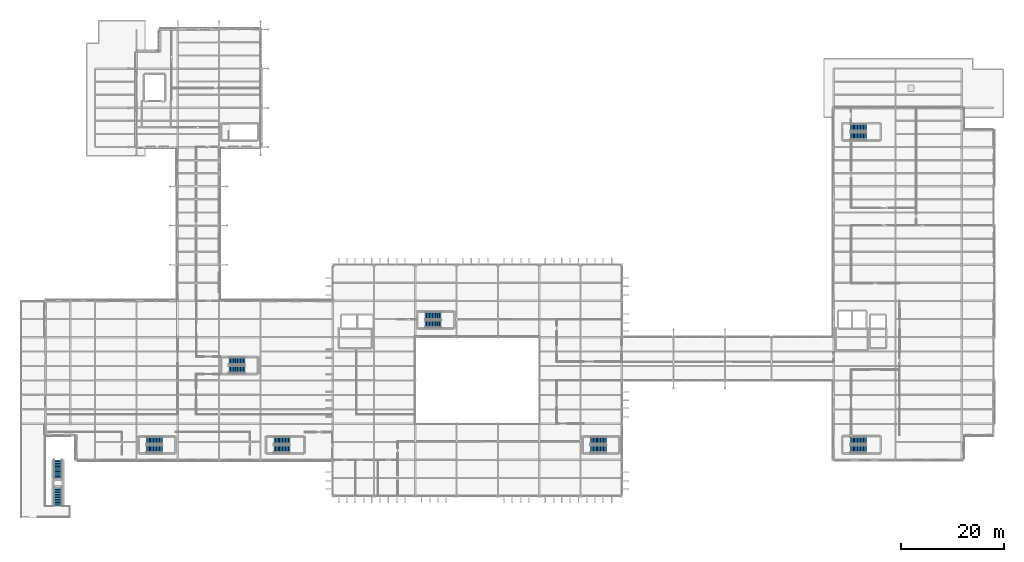
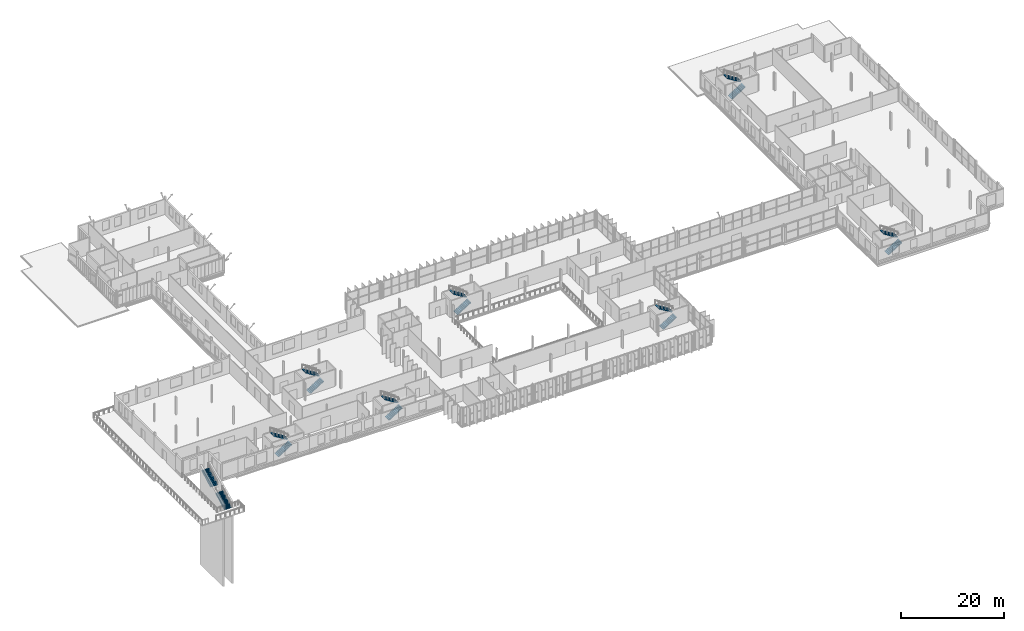
# One storey, part 90 of 101: 16 stair flights, 8 elements without a shape of their own.
"""IFC4 building model written with IfcOpenShell, lengths in metres."""

from ifc_helpers import new_model, si_unit, direction, frame, origin, place, context, subcontext, project, spatial, polyline, outline, extrude, material, type_object, element, aggregate, save


model = new_model("IFC4")

# Units and contexts
model_context = context("Model", 3, precision=1e-05, world=origin(), true_north=direction((0.0, 1.0)))
body_context = subcontext(model_context, "Body", "Model", "MODEL_VIEW")
ifc_project = project(units=[si_unit("LENGTHUNIT", "METRE"), si_unit("AREAUNIT", "SQUARE_METRE"), si_unit("VOLUMEUNIT", "CUBIC_METRE"), si_unit("PLANEANGLEUNIT", "RADIAN"), si_unit("MASSUNIT", "GRAM", prefix="KILO")], contexts=[model_context])

# Site, building, storey
site_placement = place(None, origin())
site = spatial("IfcSite", under=ifc_project, at=site_placement, CompositionType="ELEMENT")
building_placement = place(site_placement, origin())
building = spatial("IfcBuilding", under=site, at=building_placement, Name="Vekula Escarpment Museum", CompositionType="ELEMENT")
storey_placement = place(building_placement, frame((0.0, 0.0, 18.0)))
storey = spatial("IfcBuildingStorey", under=building, at=storey_placement, Name="L04", CompositionType="ELEMENT", Elevation=18.0)

# Stair, stair flights
ifc_material_1 = material(Name="Precast concrete C40/50", Category="concrete")
stair_type_1 = type_object("IfcStairType", Name="STR-AMP-165", PredefinedType="STRAIGHT_RUN_STAIR", material=ifc_material_1)
stair_1_placement = place(storey_placement, origin())
stair_1 = element("IfcStair", 1, at=stair_1_placement, inside=storey, type_object=stair_type_1, Name="South Escarpment Plinth Stair Tier 4 ST-AMP-S4", PredefinedType="STRAIGHT_RUN_STAIR")
ifc_material_2 = material(Name="Precast concrete C40/50", Category="concrete")
stair_flight_type_1 = type_object("IfcStairFlightType", Name="FLT-AMP-165", PredefinedType="STRAIGHT", material=ifc_material_2)
stair_flight_1_placement = place(storey_placement, frame((16.800048828125, 43.7099609375, 0.0), z_axis=(0.0, 0.0, 1.0), x_axis=(0.0, 1.0, 0.0)))
stair_flight_1 = element("IfcStairFlight", 2, at=stair_flight_1_placement, type_object=stair_flight_type_1, Name="ST-AMP-S4 flight 1", NumberOfRisers=12, NumberOfTreads=11, PredefinedType="STRAIGHT", RiserHeight=0.175, TreadLength=0.32, context=body_context, shape_type="SweptSolid", body=[
    extrude(outline(polyline([(0.0, 0.0), (0.0, 0.175048828125), (0.320068359375, 0.175048828125), (0.320068359375, 0.35009765625), (0.639892578125, 0.35009765625), (0.639892578125, 0.52490234375), (0.9599609375, 0.52490234375), (0.9599609375, 0.699951171875), (1.280029296875, 0.699951171875), (1.280029296875, 0.875), (1.60009765625, 0.875), (1.60009765625, 1.050048828125), (1.919921875, 1.050048828125), (1.919921875, 1.22509765625), (2.239990234375, 1.22509765625), (2.239990234375, 1.39990234375), (2.56005859375, 1.39990234375), (2.56005859375, 1.574951171875), (2.8798828125, 1.574951171875), (2.8798828125, 1.75), (3.199951171875, 1.75), (3.199951171875, 1.925048828125), (3.52001953125, 1.925048828125), (3.52001953125, 2.10009765625), (3.52001953125, 1.719970703125), (0.375, 0.0), (0.0, 0.0)])), frame((0.0, 0.824951171875, 0.0), z_axis=(0.0, -1.0, 0.0), x_axis=(1.0, 0.0, 0.0)), (0.0, 0.0, 1.0), 1.64990234375),
])
stair_flight_2_placement = place(storey_placement, frame((16.800048828125, 49.080078125, 2.10009765625), z_axis=(0.0, 0.0, 1.0), x_axis=(0.0, 1.0, 0.0)))
stair_flight_2 = element("IfcStairFlight", 3, at=stair_flight_2_placement, type_object=stair_flight_type_1, Name="ST-AMP-S4 flight 2", NumberOfRisers=12, NumberOfTreads=11, PredefinedType="STRAIGHT", RiserHeight=0.175, TreadLength=0.32, context=body_context, shape_type="SweptSolid", body=[
    extrude(outline(polyline([(0.0, 0.0), (0.0, 0.175048828125), (0.320068359375, 0.175048828125), (0.320068359375, 0.35009765625), (0.639892578125, 0.35009765625), (0.639892578125, 0.52490234375), (0.9599609375, 0.52490234375), (0.9599609375, 0.699951171875), (1.280029296875, 0.699951171875), (1.280029296875, 0.875), (1.60009765625, 0.875), (1.60009765625, 1.050048828125), (1.919921875, 1.050048828125), (1.919921875, 1.22509765625), (2.239990234375, 1.22509765625), (2.239990234375, 1.39990234375), (2.56005859375, 1.39990234375), (2.56005859375, 1.574951171875), (2.8798828125, 1.574951171875), (2.8798828125, 1.75), (3.199951171875, 1.75), (3.199951171875, 1.925048828125), (3.52001953125, 1.925048828125), (3.52001953125, 2.10009765625), (3.52001953125, 1.719970703125), (0.375, 0.0), (0.0, 0.0)])), frame((0.0, 0.824951171875, 0.0), z_axis=(0.0, -1.0, 0.0), x_axis=(1.0, 0.0, 0.0)), (0.0, 0.0, 1.0), 1.64990234375),
])
aggregate(stair_1, [stair_flight_1, stair_flight_2])

ifc_material_3 = material(Name="Concrete C35/45", Category="concrete")
stair_type_2 = type_object("IfcStairType", Name="STR-TYPE-142", PredefinedType="HALF_TURN_STAIR", material=ifc_material_3)
stair_2_placement = place(storey_placement, origin())
stair_2 = element("IfcStair", 4, at=stair_2_placement, inside=storey, type_object=stair_type_2, Name="L04 Central West Exit Stair ST-01", PredefinedType="HALF_TURN_STAIR")
ifc_material_4 = material(Name="Concrete C35/45", Category="concrete")
stair_flight_type_2 = type_object("IfcStairFlightType", Name="FLT-TYPE-142", PredefinedType="STRAIGHT", material=ifc_material_4)
stair_flight_3_placement = place(storey_placement, frame((58.6201171875, 54.7099609375, 0.0), z_axis=(0.0, 0.0, 1.0), x_axis=(1.0, 0.0, 0.0)))
stair_flight_3 = element("IfcStairFlight", 5, at=stair_flight_3_placement, type_object=stair_flight_type_2, Name="ST-01 flight 1", NumberOfRisers=12, NumberOfTreads=11, PredefinedType="STRAIGHT", RiserHeight=0.175, TreadLength=0.28, context=body_context, shape_type="SweptSolid", body=[
    extrude(outline(polyline([(0.0, 0.0), (0.0, 0.175048828125), (0.280029296875, 0.175048828125), (0.280029296875, 0.35009765625), (0.56005859375, 0.35009765625), (0.56005859375, 0.52490234375), (0.840087890625, 0.52490234375), (0.840087890625, 0.699951171875), (1.1201171875, 0.699951171875), (1.1201171875, 0.875), (1.39990234375, 0.875), (1.39990234375, 1.050048828125), (1.679931640625, 1.050048828125), (1.679931640625, 1.22509765625), (1.9599609375, 1.22509765625), (1.9599609375, 1.39990234375), (2.239990234375, 1.39990234375), (2.239990234375, 1.574951171875), (2.52001953125, 1.574951171875), (2.52001953125, 1.75), (2.800048828125, 1.75), (2.800048828125, 1.925048828125), (3.080078125, 1.925048828125), (3.080078125, 2.10009765625), (3.080078125, 1.748291015625), (0.28271484375, 0.0), (0.0, 0.0)])), frame((0.0, 0.7099609375, 0.0), z_axis=(0.0, -1.0, 0.0), x_axis=(1.0, 0.0, 0.0)), (0.0, 0.0, 1.0), 1.419921875),
])
stair_flight_4_placement = place(storey_placement, frame((61.699951171875, 56.330078125, 2.10009765625), z_axis=(0.0, 0.0, 1.0), x_axis=(-1.0, 0.0, 0.0)))
stair_flight_4 = element("IfcStairFlight", 6, at=stair_flight_4_placement, type_object=stair_flight_type_2, Name="ST-01 flight 2", NumberOfRisers=12, NumberOfTreads=11, PredefinedType="STRAIGHT", RiserHeight=0.175, TreadLength=0.28, context=body_context, shape_type="SweptSolid", body=[
    extrude(outline(polyline([(0.0, 0.0), (0.0, 0.175048828125), (0.280029296875, 0.175048828125), (0.280029296875, 0.35009765625), (0.56005859375, 0.35009765625), (0.56005859375, 0.52490234375), (0.840087890625, 0.52490234375), (0.840087890625, 0.699951171875), (1.1201171875, 0.699951171875), (1.1201171875, 0.875), (1.39990234375, 0.875), (1.39990234375, 1.050048828125), (1.679931640625, 1.050048828125), (1.679931640625, 1.22509765625), (1.9599609375, 1.22509765625), (1.9599609375, 1.39990234375), (2.239990234375, 1.39990234375), (2.239990234375, 1.574951171875), (2.52001953125, 1.574951171875), (2.52001953125, 1.75), (2.800048828125, 1.75), (2.800048828125, 1.925048828125), (3.080078125, 1.925048828125), (3.080078125, 2.10009765625), (3.080078125, 1.748291015625), (0.28271484375, 0.0), (0.0, 0.0)])), frame((0.0, 0.7099609375, 0.0), z_axis=(0.0, -1.0, 0.0), x_axis=(1.0, 0.0, 0.0)), (0.0, 0.0, 1.0), 1.419921875),
])
aggregate(stair_2, [stair_flight_3, stair_flight_4])

stair_3_placement = place(storey_placement, origin())
stair_3 = element("IfcStair", 7, at=stair_3_placement, inside=storey, type_object=stair_type_2, Name="L04 Plinth West Exit Stair ST-04", PredefinedType="HALF_TURN_STAIR")
stair_flight_5_placement = place(storey_placement, frame((33.919921875, 54.7099609375, 0.0), z_axis=(0.0, 0.0, 1.0), x_axis=(1.0, 0.0, 0.0)))
stair_flight_5 = element("IfcStairFlight", 8, at=stair_flight_5_placement, type_object=stair_flight_type_2, Name="ST-04 flight 1", NumberOfRisers=12, NumberOfTreads=11, PredefinedType="STRAIGHT", RiserHeight=0.175, TreadLength=0.28, context=body_context, shape_type="SweptSolid", body=[
    extrude(outline(polyline([(0.0, 0.0), (0.0, 0.175048828125), (0.280029296875, 0.175048828125), (0.280029296875, 0.35009765625), (0.56005859375, 0.35009765625), (0.56005859375, 0.52490234375), (0.840087890625, 0.52490234375), (0.840087890625, 0.699951171875), (1.1201171875, 0.699951171875), (1.1201171875, 0.875), (1.39990234375, 0.875), (1.39990234375, 1.050048828125), (1.679931640625, 1.050048828125), (1.679931640625, 1.22509765625), (1.9599609375, 1.22509765625), (1.9599609375, 1.39990234375), (2.239990234375, 1.39990234375), (2.239990234375, 1.574951171875), (2.52001953125, 1.574951171875), (2.52001953125, 1.75), (2.800048828125, 1.75), (2.800048828125, 1.925048828125), (3.080078125, 1.925048828125), (3.080078125, 2.10009765625), (3.080078125, 1.748291015625), (0.28271484375, 0.0), (0.0, 0.0)])), frame((0.0, 0.7099609375, 0.0), z_axis=(0.0, -1.0, 0.0), x_axis=(1.0, 0.0, 0.0)), (0.0, 0.0, 1.0), 1.419921875),
])
stair_flight_6_placement = place(storey_placement, frame((37.0, 56.330078125, 2.10009765625), z_axis=(0.0, 0.0, 1.0), x_axis=(-1.0, 0.0, 0.0)))
stair_flight_6 = element("IfcStairFlight", 9, at=stair_flight_6_placement, type_object=stair_flight_type_2, Name="ST-04 flight 2", NumberOfRisers=12, NumberOfTreads=11, PredefinedType="STRAIGHT", RiserHeight=0.175, TreadLength=0.28, context=body_context, shape_type="SweptSolid", body=[
    extrude(outline(polyline([(0.0, 0.0), (0.0, 0.175048828125), (0.280029296875, 0.175048828125), (0.280029296875, 0.35009765625), (0.56005859375, 0.35009765625), (0.56005859375, 0.52490234375), (0.840087890625, 0.52490234375), (0.840087890625, 0.699951171875), (1.1201171875, 0.699951171875), (1.1201171875, 0.875), (1.39990234375, 0.875), (1.39990234375, 1.050048828125), (1.679931640625, 1.050048828125), (1.679931640625, 1.22509765625), (1.9599609375, 1.22509765625), (1.9599609375, 1.39990234375), (2.239990234375, 1.39990234375), (2.239990234375, 1.574951171875), (2.52001953125, 1.574951171875), (2.52001953125, 1.75), (2.800048828125, 1.75), (2.800048828125, 1.925048828125), (3.080078125, 1.925048828125), (3.080078125, 2.10009765625), (3.080078125, 1.748291015625), (0.28271484375, 0.0), (0.0, 0.0)])), frame((0.0, 0.7099609375, 0.0), z_axis=(0.0, -1.0, 0.0), x_axis=(1.0, 0.0, 0.0)), (0.0, 0.0, 1.0), 1.419921875),
])
aggregate(stair_3, [stair_flight_5, stair_flight_6])

stair_4_placement = place(storey_placement, origin())
stair_4 = element("IfcStair", 10, at=stair_4_placement, inside=storey, type_object=stair_type_2, Name="L04 Great Hall East Exit Stair ST-08", PredefinedType="HALF_TURN_STAIR")
stair_flight_7_placement = place(storey_placement, frame((119.919921875, 54.7099609375, 0.0), z_axis=(0.0, 0.0, 1.0), x_axis=(1.0, 0.0, 0.0)))
stair_flight_7 = element("IfcStairFlight", 11, at=stair_flight_7_placement, type_object=stair_flight_type_2, Name="ST-08 flight 1", NumberOfRisers=12, NumberOfTreads=11, PredefinedType="STRAIGHT", RiserHeight=0.175, TreadLength=0.28, context=body_context, shape_type="SweptSolid", body=[
    extrude(outline(polyline([(0.0, 0.0), (0.0, 0.175048828125), (0.280029296875, 0.175048828125), (0.280029296875, 0.35009765625), (0.56005859375, 0.35009765625), (0.56005859375, 0.52490234375), (0.840087890625, 0.52490234375), (0.840087890625, 0.699951171875), (1.1201171875, 0.699951171875), (1.1201171875, 0.875), (1.39990234375, 0.875), (1.39990234375, 1.050048828125), (1.679931640625, 1.050048828125), (1.679931640625, 1.22509765625), (1.9599609375, 1.22509765625), (1.9599609375, 1.39990234375), (2.239990234375, 1.39990234375), (2.239990234375, 1.574951171875), (2.52001953125, 1.574951171875), (2.52001953125, 1.75), (2.800048828125, 1.75), (2.800048828125, 1.925048828125), (3.080078125, 1.925048828125), (3.080078125, 2.10009765625), (3.080078125, 1.748291015625), (0.28271484375, 0.0), (0.0, 0.0)])), frame((0.0, 0.7099609375, 0.0), z_axis=(0.0, -1.0, 0.0), x_axis=(1.0, 0.0, 0.0)), (0.0, 0.0, 1.0), 1.419921875),
])
stair_flight_8_placement = place(storey_placement, frame((123.0, 56.330078125, 2.10009765625), z_axis=(0.0, 0.0, 1.0), x_axis=(-1.0, 0.0, 0.0)))
stair_flight_8 = element("IfcStairFlight", 12, at=stair_flight_8_placement, type_object=stair_flight_type_2, Name="ST-08 flight 2", NumberOfRisers=12, NumberOfTreads=11, PredefinedType="STRAIGHT", RiserHeight=0.175, TreadLength=0.28, context=body_context, shape_type="SweptSolid", body=[
    extrude(outline(polyline([(0.0, 0.0), (0.0, 0.175048828125), (0.280029296875, 0.175048828125), (0.280029296875, 0.35009765625), (0.56005859375, 0.35009765625), (0.56005859375, 0.52490234375), (0.840087890625, 0.52490234375), (0.840087890625, 0.699951171875), (1.1201171875, 0.699951171875), (1.1201171875, 0.875), (1.39990234375, 0.875), (1.39990234375, 1.050048828125), (1.679931640625, 1.050048828125), (1.679931640625, 1.22509765625), (1.9599609375, 1.22509765625), (1.9599609375, 1.39990234375), (2.239990234375, 1.39990234375), (2.239990234375, 1.574951171875), (2.52001953125, 1.574951171875), (2.52001953125, 1.75), (2.800048828125, 1.75), (2.800048828125, 1.925048828125), (3.080078125, 1.925048828125), (3.080078125, 2.10009765625), (3.080078125, 1.748291015625), (0.28271484375, 0.0), (0.0, 0.0)])), frame((0.0, 0.7099609375, 0.0), z_axis=(0.0, -1.0, 0.0), x_axis=(1.0, 0.0, 0.0)), (0.0, 0.0, 1.0), 1.419921875),
])
aggregate(stair_4, [stair_flight_7, stair_flight_8])

stair_5_placement = place(storey_placement, origin())
stair_5 = element("IfcStair", 13, at=stair_5_placement, inside=storey, type_object=stair_type_2, Name="L04 Great Hall North Exit Stair ST-09", PredefinedType="HALF_TURN_STAIR")
stair_flight_9_placement = place(storey_placement, frame((87.919921875, 78.909912109375, 0.0), z_axis=(0.0, 0.0, 1.0), x_axis=(1.0, 0.0, 0.0)))
stair_flight_9 = element("IfcStairFlight", 14, at=stair_flight_9_placement, type_object=stair_flight_type_2, Name="ST-09 flight 1", NumberOfRisers=12, NumberOfTreads=11, PredefinedType="STRAIGHT", RiserHeight=0.175, TreadLength=0.28, context=body_context, shape_type="SweptSolid", body=[
    extrude(outline(polyline([(0.0, 0.0), (0.0, 0.175048828125), (0.280029296875, 0.175048828125), (0.280029296875, 0.35009765625), (0.56005859375, 0.35009765625), (0.56005859375, 0.52490234375), (0.840087890625, 0.52490234375), (0.840087890625, 0.699951171875), (1.1201171875, 0.699951171875), (1.1201171875, 0.875), (1.39990234375, 0.875), (1.39990234375, 1.050048828125), (1.679931640625, 1.050048828125), (1.679931640625, 1.22509765625), (1.9599609375, 1.22509765625), (1.9599609375, 1.39990234375), (2.239990234375, 1.39990234375), (2.239990234375, 1.574951171875), (2.52001953125, 1.574951171875), (2.52001953125, 1.75), (2.800048828125, 1.75), (2.800048828125, 1.925048828125), (3.080078125, 1.925048828125), (3.080078125, 2.10009765625), (3.080078125, 1.748291015625), (0.28271484375, 0.0), (0.0, 0.0)])), frame((0.0, 0.7099609375, 0.0), z_axis=(0.0, -1.0, 0.0), x_axis=(1.0, 0.0, 0.0)), (0.0, 0.0, 1.0), 1.419921875),
])
stair_flight_10_placement = place(storey_placement, frame((91.0, 80.530029296875, 2.10009765625), z_axis=(0.0, 0.0, 1.0), x_axis=(-1.0, 0.0, 0.0)))
stair_flight_10 = element("IfcStairFlight", 15, at=stair_flight_10_placement, type_object=stair_flight_type_2, Name="ST-09 flight 2", NumberOfRisers=12, NumberOfTreads=11, PredefinedType="STRAIGHT", RiserHeight=0.175, TreadLength=0.28, context=body_context, shape_type="SweptSolid", body=[
    extrude(outline(polyline([(0.0, 0.0), (0.0, 0.175048828125), (0.280029296875, 0.175048828125), (0.280029296875, 0.35009765625), (0.56005859375, 0.35009765625), (0.56005859375, 0.52490234375), (0.840087890625, 0.52490234375), (0.840087890625, 0.699951171875), (1.1201171875, 0.699951171875), (1.1201171875, 0.875), (1.39990234375, 0.875), (1.39990234375, 1.050048828125), (1.679931640625, 1.050048828125), (1.679931640625, 1.22509765625), (1.9599609375, 1.22509765625), (1.9599609375, 1.39990234375), (2.239990234375, 1.39990234375), (2.239990234375, 1.574951171875), (2.52001953125, 1.574951171875), (2.52001953125, 1.75), (2.800048828125, 1.75), (2.800048828125, 1.925048828125), (3.080078125, 1.925048828125), (3.080078125, 2.10009765625), (3.080078125, 1.748291015625), (0.28271484375, 0.0), (0.0, 0.0)])), frame((0.0, 0.7099609375, 0.0), z_axis=(0.0, -1.0, 0.0), x_axis=(1.0, 0.0, 0.0)), (0.0, 0.0, 1.0), 1.419921875),
])
aggregate(stair_5, [stair_flight_9, stair_flight_10])

stair_6_placement = place(storey_placement, origin())
stair_6 = element("IfcStair", 16, at=stair_6_placement, inside=storey, type_object=stair_type_2, Name="L04 Plinth Mid Exit Stair ST-10", PredefinedType="HALF_TURN_STAIR")
stair_flight_11_placement = place(storey_placement, frame((49.919921875, 70.110107421875, 0.0), z_axis=(0.0, 0.0, 1.0), x_axis=(1.0, 0.0, 0.0)))
stair_flight_11 = element("IfcStairFlight", 17, at=stair_flight_11_placement, type_object=stair_flight_type_2, Name="ST-10 flight 1", NumberOfRisers=12, NumberOfTreads=11, PredefinedType="STRAIGHT", RiserHeight=0.175, TreadLength=0.28, context=body_context, shape_type="SweptSolid", body=[
    extrude(outline(polyline([(0.0, 0.0), (0.0, 0.175048828125), (0.280029296875, 0.175048828125), (0.280029296875, 0.35009765625), (0.56005859375, 0.35009765625), (0.56005859375, 0.52490234375), (0.840087890625, 0.52490234375), (0.840087890625, 0.699951171875), (1.1201171875, 0.699951171875), (1.1201171875, 0.875), (1.39990234375, 0.875), (1.39990234375, 1.050048828125), (1.679931640625, 1.050048828125), (1.679931640625, 1.22509765625), (1.9599609375, 1.22509765625), (1.9599609375, 1.39990234375), (2.239990234375, 1.39990234375), (2.239990234375, 1.574951171875), (2.52001953125, 1.574951171875), (2.52001953125, 1.75), (2.800048828125, 1.75), (2.800048828125, 1.925048828125), (3.080078125, 1.925048828125), (3.080078125, 2.10009765625), (3.080078125, 1.748291015625), (0.28271484375, 0.0), (0.0, 0.0)])), frame((0.0, 0.7099609375, 0.0), z_axis=(0.0, -1.0, 0.0), x_axis=(1.0, 0.0, 0.0)), (0.0, 0.0, 1.0), 1.419921875),
])
stair_flight_12_placement = place(storey_placement, frame((53.0, 71.72998046875, 2.10009765625), z_axis=(0.0, 0.0, 1.0), x_axis=(-1.0, 0.0, 0.0)))
stair_flight_12 = element("IfcStairFlight", 18, at=stair_flight_12_placement, type_object=stair_flight_type_2, Name="ST-10 flight 2", NumberOfRisers=12, NumberOfTreads=11, PredefinedType="STRAIGHT", RiserHeight=0.175, TreadLength=0.28, context=body_context, shape_type="SweptSolid", body=[
    extrude(outline(polyline([(0.0, 0.0), (0.0, 0.175048828125), (0.280029296875, 0.175048828125), (0.280029296875, 0.35009765625), (0.56005859375, 0.35009765625), (0.56005859375, 0.52490234375), (0.840087890625, 0.52490234375), (0.840087890625, 0.699951171875), (1.1201171875, 0.699951171875), (1.1201171875, 0.875), (1.39990234375, 0.875), (1.39990234375, 1.050048828125), (1.679931640625, 1.050048828125), (1.679931640625, 1.22509765625), (1.9599609375, 1.22509765625), (1.9599609375, 1.39990234375), (2.239990234375, 1.39990234375), (2.239990234375, 1.574951171875), (2.52001953125, 1.574951171875), (2.52001953125, 1.75), (2.800048828125, 1.75), (2.800048828125, 1.925048828125), (3.080078125, 1.925048828125), (3.080078125, 2.10009765625), (3.080078125, 1.748291015625), (0.28271484375, 0.0), (0.0, 0.0)])), frame((0.0, 0.7099609375, 0.0), z_axis=(0.0, -1.0, 0.0), x_axis=(1.0, 0.0, 0.0)), (0.0, 0.0, 1.0), 1.419921875),
])
aggregate(stair_6, [stair_flight_11, stair_flight_12])

ifc_material_5 = material(Name="Concrete C35/45", Category="concrete")
stair_type_3 = type_object("IfcStairType", Name="STR-TYPE-145", PredefinedType="HALF_TURN_STAIR", material=ifc_material_5)
stair_7_placement = place(storey_placement, origin())
stair_7 = element("IfcStair", 19, at=stair_7_placement, inside=storey, type_object=stair_type_3, Name="L04 East Gallery Exit Stair ST-02", PredefinedType="HALF_TURN_STAIR")
ifc_material_6 = material(Name="Concrete C35/45", Category="concrete")
stair_flight_type_3 = type_object("IfcStairFlightType", Name="FLT-TYPE-145", PredefinedType="STRAIGHT", material=ifc_material_6)
stair_flight_13_placement = place(storey_placement, frame((170.25, 54.72509765625, 0.0), z_axis=(0.0, 0.0, 1.0), x_axis=(1.0, 0.0, 0.0)))
stair_flight_13 = element("IfcStairFlight", 20, at=stair_flight_13_placement, type_object=stair_flight_type_3, Name="ST-02 flight 1", NumberOfRisers=12, NumberOfTreads=11, PredefinedType="STRAIGHT", RiserHeight=0.175, TreadLength=0.28, context=body_context, shape_type="SweptSolid", body=[
    extrude(outline(polyline([(0.0, 0.0), (0.0, 0.175048828125), (0.280029296875, 0.175048828125), (0.280029296875, 0.35009765625), (0.56005859375, 0.35009765625), (0.56005859375, 0.52490234375), (0.840087890625, 0.52490234375), (0.840087890625, 0.699951171875), (1.1201171875, 0.699951171875), (1.1201171875, 0.875), (1.39990234375, 0.875), (1.39990234375, 1.050048828125), (1.679931640625, 1.050048828125), (1.679931640625, 1.22509765625), (1.9599609375, 1.22509765625), (1.9599609375, 1.39990234375), (2.239990234375, 1.39990234375), (2.239990234375, 1.574951171875), (2.52001953125, 1.574951171875), (2.52001953125, 1.75), (2.800048828125, 1.75), (2.800048828125, 1.925048828125), (3.080078125, 1.925048828125), (3.080078125, 2.10009765625), (3.080078125, 1.748291015625), (0.28271484375, 0.0), (0.0, 0.0)])), frame((0.0, 0.72509765625, 0.0), z_axis=(0.0, -1.0, 0.0), x_axis=(1.0, 0.0, 0.0)), (0.0, 0.0, 1.0), 1.449951171875),
])
stair_flight_14_placement = place(storey_placement, frame((173.330078125, 56.375, 2.10009765625), z_axis=(0.0, 0.0, 1.0), x_axis=(-1.0, 0.0, 0.0)))
stair_flight_14 = element("IfcStairFlight", 21, at=stair_flight_14_placement, type_object=stair_flight_type_3, Name="ST-02 flight 2", NumberOfRisers=12, NumberOfTreads=11, PredefinedType="STRAIGHT", RiserHeight=0.175, TreadLength=0.28, context=body_context, shape_type="SweptSolid", body=[
    extrude(outline(polyline([(0.0, 0.0), (0.0, 0.175048828125), (0.280029296875, 0.175048828125), (0.280029296875, 0.35009765625), (0.56005859375, 0.35009765625), (0.56005859375, 0.52490234375), (0.840087890625, 0.52490234375), (0.840087890625, 0.699951171875), (1.1201171875, 0.699951171875), (1.1201171875, 0.875), (1.39990234375, 0.875), (1.39990234375, 1.050048828125), (1.679931640625, 1.050048828125), (1.679931640625, 1.22509765625), (1.9599609375, 1.22509765625), (1.9599609375, 1.39990234375), (2.239990234375, 1.39990234375), (2.239990234375, 1.574951171875), (2.52001953125, 1.574951171875), (2.52001953125, 1.75), (2.800048828125, 1.75), (2.800048828125, 1.925048828125), (3.080078125, 1.925048828125), (3.080078125, 2.10009765625), (3.080078125, 1.748291015625), (0.28271484375, 0.0), (0.0, 0.0)])), frame((0.0, 0.72509765625, 0.0), z_axis=(0.0, -1.0, 0.0), x_axis=(1.0, 0.0, 0.0)), (0.0, 0.0, 1.0), 1.449951171875),
])
aggregate(stair_7, [stair_flight_13, stair_flight_14])

stair_8_placement = place(storey_placement, origin())
stair_8 = element("IfcStair", 22, at=stair_8_placement, inside=storey, type_object=stair_type_3, Name="L04 Northeast Cumba Exit Stair ST-05", PredefinedType="HALF_TURN_STAIR")
stair_flight_15_placement = place(storey_placement, frame((170.25, 115.324951171875, 0.0), z_axis=(0.0, 0.0, 1.0), x_axis=(1.0, 0.0, 0.0)))
stair_flight_15 = element("IfcStairFlight", 23, at=stair_flight_15_placement, type_object=stair_flight_type_3, Name="ST-05 flight 1", NumberOfRisers=12, NumberOfTreads=11, PredefinedType="STRAIGHT", RiserHeight=0.175, TreadLength=0.28, context=body_context, shape_type="SweptSolid", body=[
    extrude(outline(polyline([(0.0, 0.0), (0.0, 0.175048828125), (0.280029296875, 0.175048828125), (0.280029296875, 0.35009765625), (0.56005859375, 0.35009765625), (0.56005859375, 0.52490234375), (0.840087890625, 0.52490234375), (0.840087890625, 0.699951171875), (1.1201171875, 0.699951171875), (1.1201171875, 0.875), (1.39990234375, 0.875), (1.39990234375, 1.050048828125), (1.679931640625, 1.050048828125), (1.679931640625, 1.22509765625), (1.9599609375, 1.22509765625), (1.9599609375, 1.39990234375), (2.239990234375, 1.39990234375), (2.239990234375, 1.574951171875), (2.52001953125, 1.574951171875), (2.52001953125, 1.75), (2.800048828125, 1.75), (2.800048828125, 1.925048828125), (3.080078125, 1.925048828125), (3.080078125, 2.10009765625), (3.080078125, 1.748291015625), (0.28271484375, 0.0), (0.0, 0.0)])), frame((0.0, 0.72509765625, 0.0), z_axis=(0.0, -1.0, 0.0), x_axis=(1.0, 0.0, 0.0)), (0.0, 0.0, 1.0), 1.449951171875),
])
stair_flight_16_placement = place(storey_placement, frame((173.330078125, 116.97509765625, 2.10009765625), z_axis=(0.0, 0.0, 1.0), x_axis=(-1.0, 0.0, 0.0)))
stair_flight_16 = element("IfcStairFlight", 24, at=stair_flight_16_placement, type_object=stair_flight_type_3, Name="ST-05 flight 2", NumberOfRisers=12, NumberOfTreads=11, PredefinedType="STRAIGHT", RiserHeight=0.175, TreadLength=0.28, context=body_context, shape_type="SweptSolid", body=[
    extrude(outline(polyline([(0.0, 0.0), (0.0, 0.175048828125), (0.280029296875, 0.175048828125), (0.280029296875, 0.35009765625), (0.56005859375, 0.35009765625), (0.56005859375, 0.52490234375), (0.840087890625, 0.52490234375), (0.840087890625, 0.699951171875), (1.1201171875, 0.699951171875), (1.1201171875, 0.875), (1.39990234375, 0.875), (1.39990234375, 1.050048828125), (1.679931640625, 1.050048828125), (1.679931640625, 1.22509765625), (1.9599609375, 1.22509765625), (1.9599609375, 1.39990234375), (2.239990234375, 1.39990234375), (2.239990234375, 1.574951171875), (2.52001953125, 1.574951171875), (2.52001953125, 1.75), (2.800048828125, 1.75), (2.800048828125, 1.925048828125), (3.080078125, 1.925048828125), (3.080078125, 2.10009765625), (3.080078125, 1.748291015625), (0.28271484375, 0.0), (0.0, 0.0)])), frame((0.0, 0.72509765625, 0.0), z_axis=(0.0, -1.0, 0.0), x_axis=(1.0, 0.0, 0.0)), (0.0, 0.0, 1.0), 1.449951171875),
])
aggregate(stair_8, [stair_flight_15, stair_flight_16])

save(model, "model.ifc")
